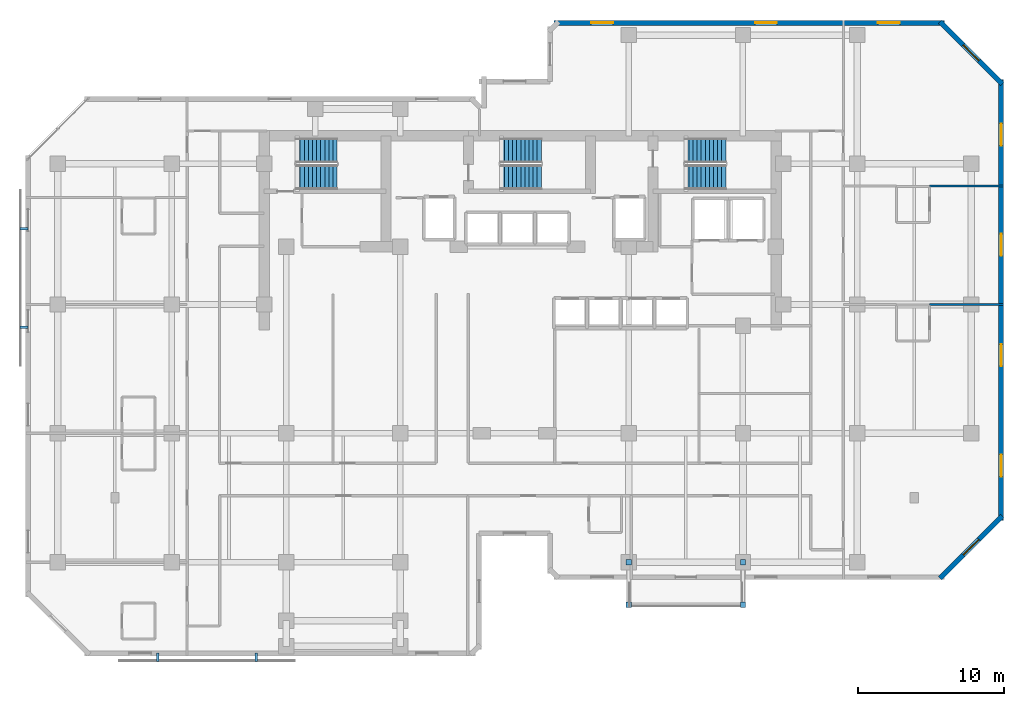
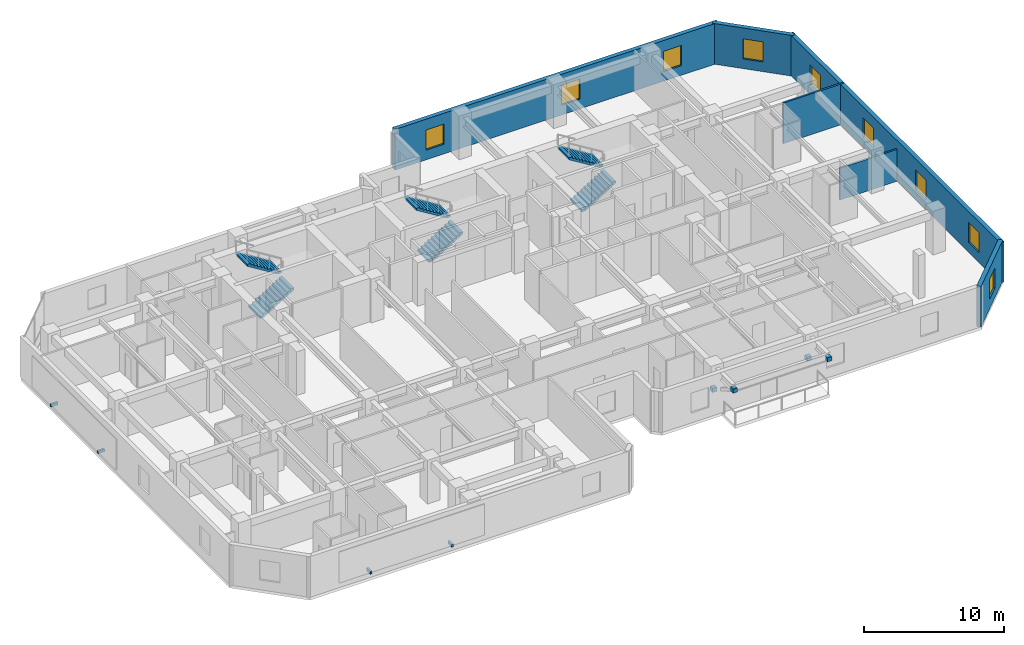
# One storey, part 9 of 11: 9 windows, 8 discrete accessories, 6 stair flights, 6 walls, 9 openings, 3 elements without a shape of their own.
"""IFC4 building model written with IfcOpenShell, lengths in metres."""

import ifcopenshell
import ifcopenshell.guid

model = None  # the IFC model being written
_history = None  # IfcOwnerHistory: only IFC2X3 demands one
_inside = {}  # id of a spatial element -> (the spatial element, [elements in it])
_under = {}  # id of a project, library or spatial element -> (it, [spatial elements below it])
_declared = {}  # id of a project -> (the project, [libraries it declares])
_typed = {}  # id of a type object -> (the type object, [elements of that type])
_made_of = {}  # id of a material, layer set ... -> (it, [elements and type objects made of it])


def new_model(schema):
    """Start an empty IFC model of exactly this schema.

    Asked for "IFC4X3", IfcOpenShell would pick the latest addendum, in which some entities
    have other attributes; the version numbers below select the first issue.
    IFC2X3 requires an IfcOwnerHistory on every rooted entity: one is made here for all.
    """
    global model, _history
    if schema == "IFC4X3":
        model = ifcopenshell.file(schema_version=(4, 3, 0, 0))
    else:
        model = ifcopenshell.file(schema=schema)
    _inside.clear()
    _under.clear()
    _declared.clear()
    _typed.clear()
    _made_of.clear()
    _history = None
    if model.schema == "IFC2X3":
        org = make("IfcOrganization", Name="unknown")
        user = make(
            "IfcPersonAndOrganization",
            ThePerson=make("IfcPerson", FamilyName="unknown"),
            TheOrganization=org,
        )
        app = make(
            "IfcApplication",
            ApplicationDeveloper=org,
            Version="unknown",
            ApplicationFullName="unknown",
            ApplicationIdentifier="unknown",
        )
        _history = make(
            "IfcOwnerHistory",
            OwningUser=user,
            OwningApplication=app,
            ChangeAction="ADDED",
            CreationDate=0,
        )
    return model


def make(cls, **values):
    """One entity of the class cls with the attributes given. An attribute that is None is left unset."""
    return model.create_entity(
        cls, **{name: value for name, value in values.items() if value is not None}
    )


def rooted(cls, **values):
    """An entity with a GlobalId (a new one), such as an element, a storey or a relation."""
    return make(cls, GlobalId=ifcopenshell.guid.new(), OwnerHistory=_history, **values)


def si_unit(unit_type, name, prefix=None):
    """IfcSIUnit, for example si_unit("LENGTHUNIT", "METRE", prefix="MILLI")."""
    return make("IfcSIUnit", UnitType=unit_type, Prefix=prefix, Name=name)


def assignment(units):
    """IfcUnitAssignment: the units of a project."""
    return None if units is None else make("IfcUnitAssignment", Units=units)


def point(xyz):
    """IfcCartesianPoint."""
    return None if xyz is None else make("IfcCartesianPoint", Coordinates=xyz)


def direction(xyz):
    """IfcDirection."""
    return None if xyz is None else make("IfcDirection", DirectionRatios=xyz)


def frame(location, z_axis=None, x_axis=None):
    """IfcAxis2Placement3D, a coordinate frame: its origin and axes. An axis left out is left unset."""
    return make(
        "IfcAxis2Placement3D",
        Location=point(location),
        Axis=direction(z_axis),
        RefDirection=direction(x_axis),
    )


def frame_2d(location, x_axis=None):
    """IfcAxis2Placement2D, a coordinate frame in the plane: its origin and x axis."""
    return make(
        "IfcAxis2Placement2D", Location=point(location), RefDirection=direction(x_axis)
    )


def origin():
    """The frame at (0, 0, 0) with its axes left unset."""
    return frame((0.0, 0.0, 0.0))


def origin_2d():
    """The frame at (0, 0) in the plane with its x axis left unset."""
    return frame_2d((0.0, 0.0))


def place(relative_to, where):
    """IfcLocalPlacement: puts the frame where relative to a parent placement (None: the world)."""
    return make(
        "IfcLocalPlacement", PlacementRelTo=relative_to, RelativePlacement=where
    )


def context(
    kind, dimensions, precision=None, world=None, true_north=None, identifier=None
):
    """IfcGeometricRepresentationContext, for example the 3D "Model" context."""
    return make(
        "IfcGeometricRepresentationContext",
        ContextIdentifier=identifier,
        ContextType=kind,
        CoordinateSpaceDimension=dimensions,
        Precision=precision,
        WorldCoordinateSystem=world,
        TrueNorth=true_north,
    )


def subcontext(parent, identifier, kind, view, scale=None):
    """IfcGeometricRepresentationSubContext, for example "Body" below "Model"."""
    return make(
        "IfcGeometricRepresentationSubContext",
        ContextIdentifier=identifier,
        ContextType=kind,
        ParentContext=parent,
        TargetScale=scale,
        TargetView=view,
    )


def project(units=None, contexts=None):
    """IfcProject with its units and contexts."""
    return rooted(
        "IfcProject",
        Name="project",
        RepresentationContexts=contexts,
        UnitsInContext=assignment(units),
    )


def spatial(cls, under=None, at=None, **own):
    """A site, building, storey or space (cls), placed at a placement, below another one or the project."""
    s = rooted(cls, ObjectPlacement=at, **own)
    if under is not None:
        _under.setdefault(under.id(), (under, []))[1].append(s)
    return s


def polyline(points):
    """IfcPolyline through the points."""
    return make("IfcPolyline", Points=[point(p) for p in points])


def profile(cls, at=None, kind="AREA", **sizes):
    """A parametric profile (cls). Its sizes go by their IFC names, for example OverallWidth=200.0."""
    return make(cls, ProfileType=kind, Position=at, **sizes)


def rectangle(**sizes):
    """IfcRectangleProfileDef."""
    return profile("IfcRectangleProfileDef", **sizes)


def outline(outer, holes=None, kind="AREA"):
    """IfcArbitraryClosedProfileDef: a profile drawn as a closed curve; with holes, ...WithVoids."""
    if holes is None:
        return make("IfcArbitraryClosedProfileDef", ProfileType=kind, OuterCurve=outer)
    return make(
        "IfcArbitraryProfileDefWithVoids",
        ProfileType=kind,
        OuterCurve=outer,
        InnerCurves=holes,
    )


def extrude(swept, where, along, depth):
    """IfcExtrudedAreaSolid: the profile swept, set in the frame where, extruded along a direction by depth."""
    return make(
        "IfcExtrudedAreaSolid",
        SweptArea=swept,
        Position=where,
        ExtrudedDirection=direction(along),
        Depth=depth,
    )


def shape(context_of_items, identifier, shape_type, items):
    """IfcShapeRepresentation: the items that make up one representation, for example the "Body"."""
    return make(
        "IfcShapeRepresentation",
        ContextOfItems=context_of_items,
        RepresentationIdentifier=identifier,
        RepresentationType=shape_type,
        Items=items,
    )


def material(Name=None, Category=None):
    """IfcMaterial."""
    return make("IfcMaterial", Name=Name, Category=Category)


def layer(
    of_material, thickness, ventilated=None, Name=None, Category=None, Priority=None
):
    """IfcMaterialLayer: one layer of a wall or slab, of a material (None: an air gap)."""
    return make(
        "IfcMaterialLayer",
        Material=of_material,
        LayerThickness=thickness,
        IsVentilated=ventilated,
        Name=Name,
        Category=Category,
        Priority=Priority,
    )


def layer_set(layers, Name=None):
    """IfcMaterialLayerSet."""
    return make("IfcMaterialLayerSet", MaterialLayers=layers, LayerSetName=Name)


def made_of(thing, what):
    """Note that an element or type object is made of a material, layer set ...; save() writes the relation."""
    if what is not None:
        _made_of.setdefault(what.id(), (what, []))[1].append(thing)
    return thing


def type_object(cls, material=None, **own):
    """A type object (cls), such as IfcWallType, which elements share."""
    return made_of(rooted(cls, **own), material)


def element(
    cls,
    number,
    at=None,
    inside=None,
    cuts=None,
    type_object=None,
    material=None,
    context=None,
    identifier="Body",
    shape_type=None,
    held_by="IfcProductDefinitionShape",
    body=None,
    shapes=None,
    **own,
):
    """One element of the class cls, such as IfcWall. Its Tag is "e" and its number.

    at: its placement. inside: the storey or other place that contains it. cuts: it is an
    opening in that element (IfcRelVoidsElement). A single representation is given by context,
    identifier, shape_type and body (its items); several are given by shapes. held_by: the class
    of the entity that holds the representations. save() writes the other relations.
    """
    e = rooted(cls, Tag="e%d" % number, ObjectPlacement=at, **own)
    if body is not None:
        shapes = [shape(context, identifier, shape_type, body)]
    if shapes is not None:
        e.Representation = make(held_by, Representations=shapes)
    if inside is not None:
        _inside.setdefault(inside.id(), (inside, []))[1].append(e)
    if cuts is not None:
        rooted(
            "IfcRelVoidsElement", RelatingBuildingElement=cuts, RelatedOpeningElement=e
        )
    if type_object is not None:
        _typed.setdefault(type_object.id(), (type_object, []))[1].append(e)
    return made_of(e, material)


def fill(opening, filler):
    """IfcRelFillsElement: the door or window that sits in an opening."""
    return rooted(
        "IfcRelFillsElement",
        RelatingOpeningElement=opening,
        RelatedBuildingElement=filler,
    )


def aggregate(whole, parts):
    """IfcRelAggregates: a whole, such as a stair, and the parts it consists of."""
    return rooted("IfcRelAggregates", RelatingObject=whole, RelatedObjects=parts)


def save(model, path):
    """Write the relations noted so far, then the file.

    IfcRelAggregates (storeys below a building ...), IfcRelContainedInSpatialStructure (elements
    in a storey), IfcRelDefinesByType, IfcRelAssociatesMaterial and IfcRelDeclares: one each for
    every whole, place, type object, material and project.
    """
    for whole, parts in _under.values():
        aggregate(whole, parts)
    for where, things in _inside.values():
        rooted(
            "IfcRelContainedInSpatialStructure",
            RelatedElements=things,
            RelatingStructure=where,
        )
    for kind, things in _typed.values():
        rooted("IfcRelDefinesByType", RelatedObjects=things, RelatingType=kind)
    for what, things in _made_of.values():
        rooted("IfcRelAssociatesMaterial", RelatedObjects=things, RelatingMaterial=what)
    for by, libraries in _declared.values():
        rooted("IfcRelDeclares", RelatingContext=by, RelatedDefinitions=libraries)
    model.write(path)


model = new_model("IFC4")

# Units and contexts
model_context = context("Model", 3, precision=1e-05, world=origin(), true_north=direction((0.0, 1.0)))
body_context = subcontext(model_context, "Body", "Model", "MODEL_VIEW")
ifc_project = project(units=[si_unit("LENGTHUNIT", "METRE"), si_unit("AREAUNIT", "SQUARE_METRE"), si_unit("VOLUMEUNIT", "CUBIC_METRE"), si_unit("PLANEANGLEUNIT", "RADIAN"), si_unit("MASSUNIT", "GRAM", prefix="KILO")], contexts=[model_context])

# Site, building, storey
site_placement = place(None, origin())
site = spatial("IfcSite", under=ifc_project, at=site_placement, CompositionType="ELEMENT")
building_placement = place(site_placement, origin())
building = spatial("IfcBuilding", under=site, at=building_placement, Name="Kestravale Grand Hotel", CompositionType="ELEMENT")
storey_placement = place(building_placement, frame((0.0, 0.0, 157.39990234375)))
storey = spatial("IfcBuildingStorey", under=building, at=storey_placement, Name="L39", CompositionType="ELEMENT", Elevation=157.39990234375)

# Wall, opening, window
ifc_material_1 = material(Name="Precast concrete f'c 45 MPa", Category="concrete")
ifc_layer_1 = layer(ifc_material_1, 0.340087890625)
ifc_layer_set_1 = layer_set([ifc_layer_1], Name="EW-PREC-340")
wall_type_1 = type_object("IfcWallType", Name="EW-PREC-340", PredefinedType="SOLIDWALL", material=ifc_layer_set_1)
wall_1_placement = place(storey_placement, frame((68.051513671875, 10.091796875, 0.0), z_axis=(0.0, 0.0, 1.0), x_axis=(0.707106781187, 0.707106781187, 0.0)))
wall_1 = element("IfcWall", 1, at=wall_1_placement, inside=storey, type_object=wall_type_1, Name="L39 fluted precast facade wall 8", PredefinedType="SOLIDWALL", context=body_context, shape_type="SweptSolid", body=[
    extrude(rectangle(XDim=6.019775390625, YDim=0.340087890625, at=frame_2d((3.009765625, 0.0))), origin(), (0.0, 0.0, 1.0), 3.550048828125),
])
opening_1_placement = place(wall_1_placement, frame((2.260009765625, 0.0, 0.85009765625)))
opening_1 = element("IfcOpeningElement", 2, at=opening_1_placement, cuts=wall_1, Name="Opening W-GUEST-1500", PredefinedType="OPENING", context=body_context, shape_type="SweptSolid", body=[
    extrude(rectangle(XDim=1.5, YDim=1.75, at=frame_2d((0.75, 0.875))), frame((0.0, 0.179931640625, 0.0), z_axis=(0.0, -1.0, 0.0), x_axis=(1.0, 0.0, 0.0)), (0.0, 0.0, 1.0), 0.360107421875),
])
ifc_material_2 = material(Name="Insulated low-E double glazing in aluminium frame", Category="aluminium")
window_type = type_object("IfcWindowType", Name="W-GUEST-1500", PartitioningType="SINGLE_PANEL", PredefinedType="WINDOW", material=ifc_material_2)
window_1_placement = place(opening_1_placement, origin())
window_1 = element("IfcWindow", 3, at=window_1_placement, inside=storey, type_object=window_type, Name="L39 exterior window 8.1", OverallHeight=1.75, OverallWidth=1.5, PartitioningType="SINGLE_PANEL", PredefinedType="WINDOW", context=body_context, shape_type="SweptSolid", body=[
    extrude(rectangle(XDim=1.5, YDim=1.75, at=frame_2d((0.75, 0.875))), frame((0.0, 0.030029296875, 0.0), z_axis=(0.0, -1.0, 0.0), x_axis=(1.0, 0.0, 0.0)), (0.0, 0.0, 1.0), 0.06005859375),
])
fill(opening_1, window_1)

# Wall, openings, windows
wall_2_placement = place(storey_placement, frame((72.22998046875, 14.030029296875, 0.0), z_axis=(0.0, 0.0, 1.0), x_axis=(0.0, 1.0, 0.0)))
wall_2 = element("IfcWall", 4, at=wall_2_placement, inside=storey, type_object=wall_type_1, Name="L39 fluted precast facade wall 9", PredefinedType="SOLIDWALL", context=body_context, shape_type="SweptSolid", body=[
    extrude(rectangle(XDim=30.139892578125, YDim=0.340087890625, at=frame_2d((15.06982421875, 0.0))), origin(), (0.0, 0.0, 1.0), 3.550048828125),
])
opening_2_placement = place(wall_2_placement, frame((3.017578125, 0.0, 0.85009765625)))
opening_2 = element("IfcOpeningElement", 5, at=opening_2_placement, cuts=wall_2, Name="Opening W-GUEST-1500", PredefinedType="OPENING", context=body_context, shape_type="SweptSolid", body=[
    extrude(rectangle(XDim=1.5, YDim=1.75, at=frame_2d((0.75, 0.875))), frame((0.0, 0.179931640625, 0.0), z_axis=(0.0, -1.0, 0.0), x_axis=(1.0, 0.0, 0.0)), (0.0, 0.0, 1.0), 0.360107421875),
])
opening_3_placement = place(wall_2_placement, frame((10.552490234375, 0.0, 0.85009765625)))
opening_3 = element("IfcOpeningElement", 6, at=opening_3_placement, cuts=wall_2, Name="Opening W-GUEST-1500", PredefinedType="OPENING", context=body_context, shape_type="SweptSolid", body=[
    extrude(rectangle(XDim=1.5, YDim=1.75, at=frame_2d((0.75, 0.875))), frame((0.0, 0.179931640625, 0.0), z_axis=(0.0, -1.0, 0.0), x_axis=(1.0, 0.0, 0.0)), (0.0, 0.0, 1.0), 0.360107421875),
])
opening_4_placement = place(wall_2_placement, frame((18.08740234375, 0.0, 0.85009765625)))
opening_4 = element("IfcOpeningElement", 7, at=opening_4_placement, cuts=wall_2, Name="Opening W-GUEST-1500", PredefinedType="OPENING", context=body_context, shape_type="SweptSolid", body=[
    extrude(rectangle(XDim=1.5, YDim=1.75, at=frame_2d((0.75, 0.875))), frame((0.0, 0.179931640625, 0.0), z_axis=(0.0, -1.0, 0.0), x_axis=(1.0, 0.0, 0.0)), (0.0, 0.0, 1.0), 0.360107421875),
])
opening_5_placement = place(wall_2_placement, frame((25.62255859375, 0.0, 0.85009765625)))
opening_5 = element("IfcOpeningElement", 8, at=opening_5_placement, cuts=wall_2, Name="Opening W-GUEST-1500", PredefinedType="OPENING", context=body_context, shape_type="SweptSolid", body=[
    extrude(rectangle(XDim=1.5, YDim=1.75, at=frame_2d((0.75, 0.875))), frame((0.0, 0.179931640625, 0.0), z_axis=(0.0, -1.0, 0.0), x_axis=(1.0, 0.0, 0.0)), (0.0, 0.0, 1.0), 0.360107421875),
])
window_2_placement = place(opening_2_placement, origin())
window_2 = element("IfcWindow", 9, at=window_2_placement, inside=storey, type_object=window_type, Name="L39 exterior window 9.1", OverallHeight=1.75, OverallWidth=1.5, PartitioningType="SINGLE_PANEL", PredefinedType="WINDOW", context=body_context, shape_type="SweptSolid", body=[
    extrude(rectangle(XDim=1.5, YDim=1.75, at=frame_2d((0.75, 0.875))), frame((0.0, 0.030029296875, 0.0), z_axis=(0.0, -1.0, 0.0), x_axis=(1.0, 0.0, 0.0)), (0.0, 0.0, 1.0), 0.06005859375),
])
fill(opening_2, window_2)
window_3_placement = place(opening_3_placement, origin())
window_3 = element("IfcWindow", 10, at=window_3_placement, inside=storey, type_object=window_type, Name="L39 exterior window 9.2", OverallHeight=1.75, OverallWidth=1.5, PartitioningType="SINGLE_PANEL", PredefinedType="WINDOW", context=body_context, shape_type="SweptSolid", body=[
    extrude(rectangle(XDim=1.5, YDim=1.75, at=frame_2d((0.75, 0.875))), frame((0.0, 0.030029296875, 0.0), z_axis=(0.0, -1.0, 0.0), x_axis=(1.0, 0.0, 0.0)), (0.0, 0.0, 1.0), 0.06005859375),
])
fill(opening_3, window_3)
window_4_placement = place(opening_4_placement, origin())
window_4 = element("IfcWindow", 11, at=window_4_placement, inside=storey, type_object=window_type, Name="L39 exterior window 9.3", OverallHeight=1.75, OverallWidth=1.5, PartitioningType="SINGLE_PANEL", PredefinedType="WINDOW", context=body_context, shape_type="SweptSolid", body=[
    extrude(rectangle(XDim=1.5, YDim=1.75, at=frame_2d((0.75, 0.875))), frame((0.0, 0.030029296875, 0.0), z_axis=(0.0, -1.0, 0.0), x_axis=(1.0, 0.0, 0.0)), (0.0, 0.0, 1.0), 0.06005859375),
])
fill(opening_4, window_4)
window_5_placement = place(opening_5_placement, origin())
window_5 = element("IfcWindow", 12, at=window_5_placement, inside=storey, type_object=window_type, Name="L39 exterior window 9.4", OverallHeight=1.75, OverallWidth=1.5, PartitioningType="SINGLE_PANEL", PredefinedType="WINDOW", context=body_context, shape_type="SweptSolid", body=[
    extrude(rectangle(XDim=1.5, YDim=1.75, at=frame_2d((0.75, 0.875))), frame((0.0, 0.030029296875, 0.0), z_axis=(0.0, -1.0, 0.0), x_axis=(1.0, 0.0, 0.0)), (0.0, 0.0, 1.0), 0.06005859375),
])
fill(opening_5, window_5)

# Wall, opening, window
wall_3_placement = place(storey_placement, frame((72.30810546875, 43.8515625, 0.0), z_axis=(0.0, 0.0, 1.0), x_axis=(-0.707106781187, 0.707106781187, 0.0)))
wall_3 = element("IfcWall", 13, at=wall_3_placement, inside=storey, type_object=wall_type_1, Name="L39 fluted precast facade wall 10", PredefinedType="SOLIDWALL", context=body_context, shape_type="SweptSolid", body=[
    extrude(rectangle(XDim=6.019775390625, YDim=0.340087890625, at=frame_2d((3.009765625, 0.0))), origin(), (0.0, 0.0, 1.0), 3.550048828125),
])
opening_6_placement = place(wall_3_placement, frame((2.260009765625, 0.0, 0.85009765625)))
opening_6 = element("IfcOpeningElement", 14, at=opening_6_placement, cuts=wall_3, Name="Opening W-GUEST-1500", PredefinedType="OPENING", context=body_context, shape_type="SweptSolid", body=[
    extrude(rectangle(XDim=1.5, YDim=1.75, at=frame_2d((0.75, 0.875))), frame((0.0, 0.179931640625, 0.0), z_axis=(0.0, -1.0, 0.0), x_axis=(1.0, 0.0, 0.0)), (0.0, 0.0, 1.0), 0.360107421875),
])
window_6_placement = place(opening_6_placement, origin())
window_6 = element("IfcWindow", 15, at=window_6_placement, inside=storey, type_object=window_type, Name="L39 exterior window 10.1", OverallHeight=1.75, OverallWidth=1.5, PartitioningType="SINGLE_PANEL", PredefinedType="WINDOW", context=body_context, shape_type="SweptSolid", body=[
    extrude(rectangle(XDim=1.5, YDim=1.75, at=frame_2d((0.75, 0.875))), frame((0.0, 0.030029296875, 0.0), z_axis=(0.0, -1.0, 0.0), x_axis=(1.0, 0.0, 0.0)), (0.0, 0.0, 1.0), 0.06005859375),
])
fill(opening_6, window_6)

# Wall, openings, windows
wall_4_placement = place(storey_placement, frame((68.3701171875, 48.030029296875, 0.0), z_axis=(0.0, 0.0, 1.0), x_axis=(-1.0, 0.0, 0.0)))
wall_4 = element("IfcWall", 16, at=wall_4_placement, inside=storey, type_object=wall_type_1, Name="L39 fluted precast facade wall 11", PredefinedType="SOLIDWALL", context=body_context, shape_type="SweptSolid", body=[
    extrude(rectangle(XDim=26.690185546875, YDim=0.340087890625, at=frame_2d((13.34521484375, 0.0))), origin(), (0.0, 0.0, 1.0), 3.550048828125),
])
opening_7_placement = place(wall_4_placement, frame((3.04833984375, 0.0, 0.85009765625)))
opening_7 = element("IfcOpeningElement", 17, at=opening_7_placement, cuts=wall_4, Name="Opening W-GUEST-1500", PredefinedType="OPENING", context=body_context, shape_type="SweptSolid", body=[
    extrude(rectangle(XDim=1.5, YDim=1.75, at=frame_2d((0.75, 0.875))), frame((0.0, 0.179931640625, 0.0), z_axis=(0.0, -1.0, 0.0), x_axis=(1.0, 0.0, 0.0)), (0.0, 0.0, 1.0), 0.360107421875),
])
opening_8_placement = place(wall_4_placement, frame((11.445068359375, 0.0, 0.85009765625)))
opening_8 = element("IfcOpeningElement", 18, at=opening_8_placement, cuts=wall_4, Name="Opening W-GUEST-1500", PredefinedType="OPENING", context=body_context, shape_type="SweptSolid", body=[
    extrude(rectangle(XDim=1.5, YDim=1.75, at=frame_2d((0.75, 0.875))), frame((0.0, 0.179931640625, 0.0), z_axis=(0.0, -1.0, 0.0), x_axis=(1.0, 0.0, 0.0)), (0.0, 0.0, 1.0), 0.360107421875),
])
opening_9_placement = place(wall_4_placement, frame((22.6416015625, 0.0, 0.85009765625)))
opening_9 = element("IfcOpeningElement", 19, at=opening_9_placement, cuts=wall_4, Name="Opening W-GUEST-1500", PredefinedType="OPENING", context=body_context, shape_type="SweptSolid", body=[
    extrude(rectangle(XDim=1.5, YDim=1.75, at=frame_2d((0.75, 0.875))), frame((0.0, 0.179931640625, 0.0), z_axis=(0.0, -1.0, 0.0), x_axis=(1.0, 0.0, 0.0)), (0.0, 0.0, 1.0), 0.360107421875),
])
window_7_placement = place(opening_7_placement, origin())
window_7 = element("IfcWindow", 20, at=window_7_placement, inside=storey, type_object=window_type, Name="L39 exterior window 11.1", OverallHeight=1.75, OverallWidth=1.5, PartitioningType="SINGLE_PANEL", PredefinedType="WINDOW", context=body_context, shape_type="SweptSolid", body=[
    extrude(rectangle(XDim=1.5, YDim=1.75, at=frame_2d((0.75, 0.875))), frame((0.0, 0.030029296875, 0.0), z_axis=(0.0, -1.0, 0.0), x_axis=(1.0, 0.0, 0.0)), (0.0, 0.0, 1.0), 0.06005859375),
])
fill(opening_7, window_7)
window_8_placement = place(opening_8_placement, origin())
window_8 = element("IfcWindow", 21, at=window_8_placement, inside=storey, type_object=window_type, Name="L39 exterior window 11.2", OverallHeight=1.75, OverallWidth=1.5, PartitioningType="SINGLE_PANEL", PredefinedType="WINDOW", context=body_context, shape_type="SweptSolid", body=[
    extrude(rectangle(XDim=1.5, YDim=1.75, at=frame_2d((0.75, 0.875))), frame((0.0, 0.030029296875, 0.0), z_axis=(0.0, -1.0, 0.0), x_axis=(1.0, 0.0, 0.0)), (0.0, 0.0, 1.0), 0.06005859375),
])
fill(opening_8, window_8)
window_9_placement = place(opening_9_placement, origin())
window_9 = element("IfcWindow", 22, at=window_9_placement, inside=storey, type_object=window_type, Name="L39 exterior window 11.3", OverallHeight=1.75, OverallWidth=1.5, PartitioningType="SINGLE_PANEL", PredefinedType="WINDOW", context=body_context, shape_type="SweptSolid", body=[
    extrude(rectangle(XDim=1.5, YDim=1.75, at=frame_2d((0.75, 0.875))), frame((0.0, 0.030029296875, 0.0), z_axis=(0.0, -1.0, 0.0), x_axis=(1.0, 0.0, 0.0)), (0.0, 0.0, 1.0), 0.06005859375),
])
fill(opening_9, window_9)

# Walls
ifc_material_3 = material(Name="Double-stud STC 52 acoustic demising partition", Category="other")
ifc_layer_2 = layer(ifc_material_3, 0.14990234375)
ifc_layer_set_2 = layer_set([ifc_layer_2], Name="IW-UNIT-150")
wall_type_2 = type_object("IfcWallType", Name="IW-UNIT-150", PredefinedType="PARTITIONING", material=ifc_layer_set_2)
wall_5_placement = place(storey_placement, frame((67.35009765625, 28.800048828125, 0.0), z_axis=(0.0, 0.0, 1.0), x_axis=(1.0, 0.0, 0.0)))
element("IfcWall", 23, at=wall_5_placement, inside=storey, type_object=wall_type_2, Name="W-L39-EW-1", PredefinedType="PARTITIONING", context=body_context, shape_type="SweptSolid", body=[
    extrude(rectangle(XDim=5.02978515625, YDim=0.14990234375, at=frame_2d((2.514892578125, 0.0))), origin(), (0.0, 0.0, 1.0), 2.778076171875),
])
wall_6_placement = place(storey_placement, frame((67.35009765625, 36.89990234375, 0.0), z_axis=(0.0, 0.0, 1.0), x_axis=(1.0, 0.0, 0.0)))
element("IfcWall", 24, at=wall_6_placement, inside=storey, type_object=wall_type_2, Name="W-L39-EW-2", PredefinedType="PARTITIONING", context=body_context, shape_type="SweptSolid", body=[
    extrude(rectangle(XDim=5.02978515625, YDim=0.14990234375, at=frame_2d((2.514892578125, 0.0))), origin(), (0.0, 0.0, 1.0), 3.550048828125),
])

# Stair, stair flights
ifc_material_4 = material(Name="Concrete f'c 45 MPa", Category="concrete")
stair_type = type_object("IfcStairType", Name="ST-CORE-380", PredefinedType="HALF_TURN_STAIR", material=ifc_material_4)
stair_1_placement = place(storey_placement, origin())
stair_1 = element("IfcStair", 25, at=stair_1_placement, inside=storey, type_object=stair_type, Name="L39 ST-1", PredefinedType="HALF_TURN_STAIR")
ifc_material_5 = material(Name="Concrete f'c 45 MPa", Category="concrete")
stair_flight_type = type_object("IfcStairFlightType", Name="STF-CORE-380", PredefinedType="STRAIGHT", material=ifc_material_5)
stair_flight_1_placement = place(storey_placement, frame((24.080078125, 37.489990234375, 0.0), z_axis=(0.0, 0.0, 1.0), x_axis=(1.0, 0.0, 0.0)))
stair_flight_1 = element("IfcStairFlight", 26, at=stair_flight_1_placement, type_object=stair_flight_type, Name="ST-1 flight 1", NumberOfRisers=11, NumberOfTreads=10, PredefinedType="STRAIGHT", RiserHeight=0.172727273, TreadLength=0.28, context=body_context, shape_type="SweptSolid", body=[
    extrude(outline(polyline([(0.0, 0.0), (0.0, 0.172607421875), (0.280029296875, 0.172607421875), (0.280029296875, 0.345458984375), (0.56005859375, 0.345458984375), (0.56005859375, 0.51806640625), (0.840087890625, 0.51806640625), (0.840087890625, 0.69091796875), (1.1201171875, 0.69091796875), (1.1201171875, 0.863525390625), (1.39990234375, 0.863525390625), (1.39990234375, 1.036376953125), (1.679931640625, 1.036376953125), (1.679931640625, 1.208984375), (1.9599609375, 1.208984375), (1.9599609375, 1.3818359375), (2.239990234375, 1.3818359375), (2.239990234375, 1.554443359375), (2.52001953125, 1.554443359375), (2.52001953125, 1.727294921875), (2.800048828125, 1.727294921875), (2.800048828125, 1.89990234375), (2.800048828125, 1.551025390625), (0.285400390625, 0.0), (0.0, 0.0)])), frame((0.0, 0.83984375, 0.0), z_axis=(0.0, -1.0, 0.0), x_axis=(1.0, 0.0, 0.0)), (0.0, 0.0, 1.0), 1.679931640625),
])
stair_flight_2_placement = place(storey_placement, frame((26.8798828125, 39.320068359375, 1.900146484375), z_axis=(0.0, 0.0, 1.0), x_axis=(-1.0, 0.0, 0.0)))
stair_flight_2 = element("IfcStairFlight", 27, at=stair_flight_2_placement, type_object=stair_flight_type, Name="ST-1 flight 2", NumberOfRisers=11, NumberOfTreads=10, PredefinedType="STRAIGHT", RiserHeight=0.172727273, TreadLength=0.28, context=body_context, shape_type="SweptSolid", body=[
    extrude(outline(polyline([(0.0, 0.0), (0.0, 0.172607421875), (0.280029296875, 0.172607421875), (0.280029296875, 0.345458984375), (0.56005859375, 0.345458984375), (0.56005859375, 0.51806640625), (0.840087890625, 0.51806640625), (0.840087890625, 0.69091796875), (1.1201171875, 0.69091796875), (1.1201171875, 0.863525390625), (1.39990234375, 0.863525390625), (1.39990234375, 1.036376953125), (1.679931640625, 1.036376953125), (1.679931640625, 1.208984375), (1.9599609375, 1.208984375), (1.9599609375, 1.3818359375), (2.239990234375, 1.3818359375), (2.239990234375, 1.554443359375), (2.52001953125, 1.554443359375), (2.52001953125, 1.727294921875), (2.800048828125, 1.727294921875), (2.800048828125, 1.89990234375), (2.800048828125, 1.551025390625), (0.285400390625, 0.0), (0.0, 0.0)])), frame((0.0, 0.83984375, 0.0), z_axis=(0.0, -1.0, 0.0), x_axis=(1.0, 0.0, 0.0)), (0.0, 0.0, 1.0), 1.679931640625),
])
aggregate(stair_1, [stair_flight_1, stair_flight_2])

stair_2_placement = place(storey_placement, origin())
stair_2 = element("IfcStair", 28, at=stair_2_placement, inside=storey, type_object=stair_type, Name="L39 ST-2", PredefinedType="HALF_TURN_STAIR")
stair_flight_3_placement = place(storey_placement, frame((38.030029296875, 37.489990234375, 0.0), z_axis=(0.0, 0.0, 1.0), x_axis=(1.0, 0.0, 0.0)))
stair_flight_3 = element("IfcStairFlight", 29, at=stair_flight_3_placement, type_object=stair_flight_type, Name="ST-2 flight 1", NumberOfRisers=11, NumberOfTreads=10, PredefinedType="STRAIGHT", RiserHeight=0.172727273, TreadLength=0.28, context=body_context, shape_type="SweptSolid", body=[
    extrude(outline(polyline([(0.0, 0.0), (0.0, 0.172607421875), (0.280029296875, 0.172607421875), (0.280029296875, 0.345458984375), (0.56005859375, 0.345458984375), (0.56005859375, 0.51806640625), (0.840087890625, 0.51806640625), (0.840087890625, 0.69091796875), (1.1201171875, 0.69091796875), (1.1201171875, 0.863525390625), (1.39990234375, 0.863525390625), (1.39990234375, 1.036376953125), (1.679931640625, 1.036376953125), (1.679931640625, 1.208984375), (1.9599609375, 1.208984375), (1.9599609375, 1.3818359375), (2.239990234375, 1.3818359375), (2.239990234375, 1.554443359375), (2.52001953125, 1.554443359375), (2.52001953125, 1.727294921875), (2.800048828125, 1.727294921875), (2.800048828125, 1.89990234375), (2.800048828125, 1.551025390625), (0.285400390625, 0.0), (0.0, 0.0)])), frame((0.0, 0.83984375, 0.0), z_axis=(0.0, -1.0, 0.0), x_axis=(1.0, 0.0, 0.0)), (0.0, 0.0, 1.0), 1.679931640625),
])
stair_flight_4_placement = place(storey_placement, frame((40.830078125, 39.320068359375, 1.900146484375), z_axis=(0.0, 0.0, 1.0), x_axis=(-1.0, 0.0, 0.0)))
stair_flight_4 = element("IfcStairFlight", 30, at=stair_flight_4_placement, type_object=stair_flight_type, Name="ST-2 flight 2", NumberOfRisers=11, NumberOfTreads=10, PredefinedType="STRAIGHT", RiserHeight=0.172727273, TreadLength=0.28, context=body_context, shape_type="SweptSolid", body=[
    extrude(outline(polyline([(0.0, 0.0), (0.0, 0.172607421875), (0.280029296875, 0.172607421875), (0.280029296875, 0.345458984375), (0.56005859375, 0.345458984375), (0.56005859375, 0.51806640625), (0.840087890625, 0.51806640625), (0.840087890625, 0.69091796875), (1.1201171875, 0.69091796875), (1.1201171875, 0.863525390625), (1.39990234375, 0.863525390625), (1.39990234375, 1.036376953125), (1.679931640625, 1.036376953125), (1.679931640625, 1.208984375), (1.9599609375, 1.208984375), (1.9599609375, 1.3818359375), (2.239990234375, 1.3818359375), (2.239990234375, 1.554443359375), (2.52001953125, 1.554443359375), (2.52001953125, 1.727294921875), (2.800048828125, 1.727294921875), (2.800048828125, 1.89990234375), (2.800048828125, 1.551025390625), (0.285400390625, 0.0), (0.0, 0.0)])), frame((0.0, 0.83984375, 0.0), z_axis=(0.0, -1.0, 0.0), x_axis=(1.0, 0.0, 0.0)), (0.0, 0.0, 1.0), 1.679931640625),
])
aggregate(stair_2, [stair_flight_3, stair_flight_4])

stair_3_placement = place(storey_placement, origin())
stair_3 = element("IfcStair", 31, at=stair_3_placement, inside=storey, type_object=stair_type, Name="L39 ST-3", PredefinedType="HALF_TURN_STAIR")
stair_flight_5_placement = place(storey_placement, frame((50.6298828125, 37.489990234375, 0.0), z_axis=(0.0, 0.0, 1.0), x_axis=(1.0, 0.0, 0.0)))
stair_flight_5 = element("IfcStairFlight", 32, at=stair_flight_5_placement, type_object=stair_flight_type, Name="ST-3 flight 1", NumberOfRisers=11, NumberOfTreads=10, PredefinedType="STRAIGHT", RiserHeight=0.172727273, TreadLength=0.28, context=body_context, shape_type="SweptSolid", body=[
    extrude(outline(polyline([(0.0, 0.0), (0.0, 0.172607421875), (0.280029296875, 0.172607421875), (0.280029296875, 0.345458984375), (0.56005859375, 0.345458984375), (0.56005859375, 0.51806640625), (0.840087890625, 0.51806640625), (0.840087890625, 0.69091796875), (1.1201171875, 0.69091796875), (1.1201171875, 0.863525390625), (1.39990234375, 0.863525390625), (1.39990234375, 1.036376953125), (1.679931640625, 1.036376953125), (1.679931640625, 1.208984375), (1.9599609375, 1.208984375), (1.9599609375, 1.3818359375), (2.239990234375, 1.3818359375), (2.239990234375, 1.554443359375), (2.52001953125, 1.554443359375), (2.52001953125, 1.727294921875), (2.800048828125, 1.727294921875), (2.800048828125, 1.89990234375), (2.800048828125, 1.551025390625), (0.285400390625, 0.0), (0.0, 0.0)])), frame((0.0, 0.83984375, 0.0), z_axis=(0.0, -1.0, 0.0), x_axis=(1.0, 0.0, 0.0)), (0.0, 0.0, 1.0), 1.679931640625),
])
stair_flight_6_placement = place(storey_placement, frame((53.429931640625, 39.320068359375, 1.900146484375), z_axis=(0.0, 0.0, 1.0), x_axis=(-1.0, 0.0, 0.0)))
stair_flight_6 = element("IfcStairFlight", 33, at=stair_flight_6_placement, type_object=stair_flight_type, Name="ST-3 flight 2", NumberOfRisers=11, NumberOfTreads=10, PredefinedType="STRAIGHT", RiserHeight=0.172727273, TreadLength=0.28, context=body_context, shape_type="SweptSolid", body=[
    extrude(outline(polyline([(0.0, 0.0), (0.0, 0.172607421875), (0.280029296875, 0.172607421875), (0.280029296875, 0.345458984375), (0.56005859375, 0.345458984375), (0.56005859375, 0.51806640625), (0.840087890625, 0.51806640625), (0.840087890625, 0.69091796875), (1.1201171875, 0.69091796875), (1.1201171875, 0.863525390625), (1.39990234375, 0.863525390625), (1.39990234375, 1.036376953125), (1.679931640625, 1.036376953125), (1.679931640625, 1.208984375), (1.9599609375, 1.208984375), (1.9599609375, 1.3818359375), (2.239990234375, 1.3818359375), (2.239990234375, 1.554443359375), (2.52001953125, 1.554443359375), (2.52001953125, 1.727294921875), (2.800048828125, 1.727294921875), (2.800048828125, 1.89990234375), (2.800048828125, 1.551025390625), (0.285400390625, 0.0), (0.0, 0.0)])), frame((0.0, 0.83984375, 0.0), z_axis=(0.0, -1.0, 0.0), x_axis=(1.0, 0.0, 0.0)), (0.0, 0.0, 1.0), 1.679931640625),
])
aggregate(stair_3, [stair_flight_5, stair_flight_6])

# Discrete accessories
ifc_material_6 = material(Name="Steel ASTM A572 Grade 50 hot-dip galvanised bracket", Category="steel")
discrete_accessory_type = type_object("IfcDiscreteAccessoryType", Name="ACC-BRK-STL", PredefinedType="BRACKET", material=ifc_material_6)
for number, where, z_axis, x_axis, name in (
    (34, (46.800048828125, 11.199951171875, 1.19384765625), (0.0, 0.0, 1.0), (1.0, 0.0, 0.0), "L40 terrace strut column bracket 1"),
    (35, (46.800048828125, 8.300048828125, 2.89404296875), (0.0, 0.0, 1.0), (1.0, 0.0, 0.0), "L40 terrace strut beam bracket 1"),
    (36, (54.60009765625, 11.199951171875, 1.19384765625), (0.0, 0.0, 1.0), (1.0, 0.0, 0.0), "L40 terrace strut column bracket 2"),
    (37, (54.60009765625, 8.300048828125, 2.89404296875), (0.0, 0.0, 1.0), (1.0, 0.0, 0.0), "L40 terrace strut beam bracket 2"),
):
    element("IfcDiscreteAccessory", number, at=place(storey_placement, frame(where, z_axis=z_axis, x_axis=x_axis)), inside=storey, type_object=discrete_accessory_type, Name=name, PredefinedType="BRACKET", context=body_context, shape_type="SweptSolid", body=[
        extrude(rectangle(XDim=0.360107421875, YDim=0.360107421875, at=origin_2d()), origin(), (0.0, 0.0, 1.0), 0.360107421875),
    ])
for number, where, z_axis, x_axis, name in (
    (38, (14.639892578125, 4.705078125, 0.56005859375), (0.0, 0.0, 1.0), (1.0, 0.0, 0.0), "L39 solar screen standoff bracket 1"),
    (39, (21.360107421875, 4.705078125, 0.56005859375), (0.0, 0.0, 1.0), (1.0, 0.0, 0.0), "L39 solar screen standoff bracket 2"),
    (40, (5.5048828125, 33.9599609375, 0.56005859375), (0.0, 0.0, 1.0), (0.0, -1.0, 0.0), "L39 solar screen standoff bracket 1"),
    (41, (5.5048828125, 27.239990234375, 0.56005859375), (0.0, 0.0, 1.0), (0.0, -1.0, 0.0), "L39 solar screen standoff bracket 2"),
):
    element("IfcDiscreteAccessory", number, at=place(storey_placement, frame(where, z_axis=z_axis, x_axis=x_axis)), inside=storey, type_object=discrete_accessory_type, Name=name, PredefinedType="BRACKET", context=body_context, shape_type="SweptSolid", body=[
        extrude(rectangle(XDim=0.159912109375, YDim=0.56005859375, at=origin_2d()), origin(), (0.0, 0.0, 1.0), 0.239990234375),
    ])

save(model, "model.ifc")
